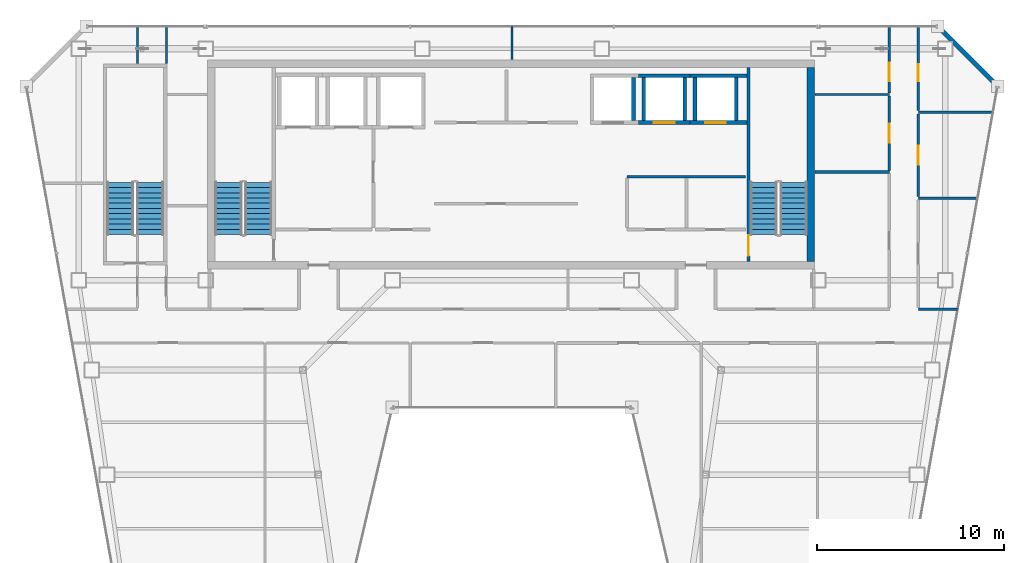
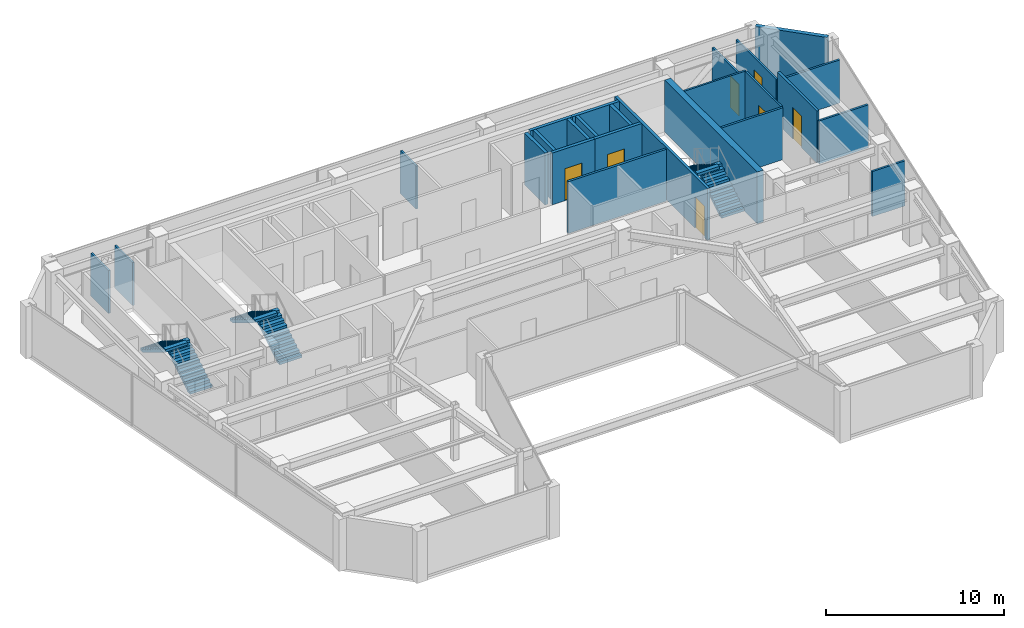
# One storey, part 29 of 32: 25 walls, 7 doors, 6 stair flights, 7 openings, 3 elements without a shape of their own.
"""IFC4 building model written with IfcOpenShell, lengths in metres."""

import ifcopenshell
import ifcopenshell.guid

model = None  # the IFC model being written
_history = None  # IfcOwnerHistory: only IFC2X3 demands one
_inside = {}  # id of a spatial element -> (the spatial element, [elements in it])
_under = {}  # id of a project, library or spatial element -> (it, [spatial elements below it])
_declared = {}  # id of a project -> (the project, [libraries it declares])
_typed = {}  # id of a type object -> (the type object, [elements of that type])
_made_of = {}  # id of a material, layer set ... -> (it, [elements and type objects made of it])


def new_model(schema):
    """Start an empty IFC model of exactly this schema.

    Asked for "IFC4X3", IfcOpenShell would pick the latest addendum, in which some entities
    have other attributes; the version numbers below select the first issue.
    IFC2X3 requires an IfcOwnerHistory on every rooted entity: one is made here for all.
    """
    global model, _history
    if schema == "IFC4X3":
        model = ifcopenshell.file(schema_version=(4, 3, 0, 0))
    else:
        model = ifcopenshell.file(schema=schema)
    _inside.clear()
    _under.clear()
    _declared.clear()
    _typed.clear()
    _made_of.clear()
    _history = None
    if model.schema == "IFC2X3":
        org = make("IfcOrganization", Name="unknown")
        user = make(
            "IfcPersonAndOrganization",
            ThePerson=make("IfcPerson", FamilyName="unknown"),
            TheOrganization=org,
        )
        app = make(
            "IfcApplication",
            ApplicationDeveloper=org,
            Version="unknown",
            ApplicationFullName="unknown",
            ApplicationIdentifier="unknown",
        )
        _history = make(
            "IfcOwnerHistory",
            OwningUser=user,
            OwningApplication=app,
            ChangeAction="ADDED",
            CreationDate=0,
        )
    return model


def make(cls, **values):
    """One entity of the class cls with the attributes given. An attribute that is None is left unset."""
    return model.create_entity(
        cls, **{name: value for name, value in values.items() if value is not None}
    )


def rooted(cls, **values):
    """An entity with a GlobalId (a new one), such as an element, a storey or a relation."""
    return make(cls, GlobalId=ifcopenshell.guid.new(), OwnerHistory=_history, **values)


def si_unit(unit_type, name, prefix=None):
    """IfcSIUnit, for example si_unit("LENGTHUNIT", "METRE", prefix="MILLI")."""
    return make("IfcSIUnit", UnitType=unit_type, Prefix=prefix, Name=name)


def assignment(units):
    """IfcUnitAssignment: the units of a project."""
    return None if units is None else make("IfcUnitAssignment", Units=units)


def point(xyz):
    """IfcCartesianPoint."""
    return None if xyz is None else make("IfcCartesianPoint", Coordinates=xyz)


def direction(xyz):
    """IfcDirection."""
    return None if xyz is None else make("IfcDirection", DirectionRatios=xyz)


def frame(location, z_axis=None, x_axis=None):
    """IfcAxis2Placement3D, a coordinate frame: its origin and axes. An axis left out is left unset."""
    return make(
        "IfcAxis2Placement3D",
        Location=point(location),
        Axis=direction(z_axis),
        RefDirection=direction(x_axis),
    )


def frame_2d(location, x_axis=None):
    """IfcAxis2Placement2D, a coordinate frame in the plane: its origin and x axis."""
    return make(
        "IfcAxis2Placement2D", Location=point(location), RefDirection=direction(x_axis)
    )


def origin():
    """The frame at (0, 0, 0) with its axes left unset."""
    return frame((0.0, 0.0, 0.0))


def place(relative_to, where):
    """IfcLocalPlacement: puts the frame where relative to a parent placement (None: the world)."""
    return make(
        "IfcLocalPlacement", PlacementRelTo=relative_to, RelativePlacement=where
    )


def context(
    kind, dimensions, precision=None, world=None, true_north=None, identifier=None
):
    """IfcGeometricRepresentationContext, for example the 3D "Model" context."""
    return make(
        "IfcGeometricRepresentationContext",
        ContextIdentifier=identifier,
        ContextType=kind,
        CoordinateSpaceDimension=dimensions,
        Precision=precision,
        WorldCoordinateSystem=world,
        TrueNorth=true_north,
    )


def subcontext(parent, identifier, kind, view, scale=None):
    """IfcGeometricRepresentationSubContext, for example "Body" below "Model"."""
    return make(
        "IfcGeometricRepresentationSubContext",
        ContextIdentifier=identifier,
        ContextType=kind,
        ParentContext=parent,
        TargetScale=scale,
        TargetView=view,
    )


def project(units=None, contexts=None):
    """IfcProject with its units and contexts."""
    return rooted(
        "IfcProject",
        Name="project",
        RepresentationContexts=contexts,
        UnitsInContext=assignment(units),
    )


def spatial(cls, under=None, at=None, **own):
    """A site, building, storey or space (cls), placed at a placement, below another one or the project."""
    s = rooted(cls, ObjectPlacement=at, **own)
    if under is not None:
        _under.setdefault(under.id(), (under, []))[1].append(s)
    return s


def polyline(points):
    """IfcPolyline through the points."""
    return make("IfcPolyline", Points=[point(p) for p in points])


def profile(cls, at=None, kind="AREA", **sizes):
    """A parametric profile (cls). Its sizes go by their IFC names, for example OverallWidth=200.0."""
    return make(cls, ProfileType=kind, Position=at, **sizes)


def rectangle(**sizes):
    """IfcRectangleProfileDef."""
    return profile("IfcRectangleProfileDef", **sizes)


def outline(outer, holes=None, kind="AREA"):
    """IfcArbitraryClosedProfileDef: a profile drawn as a closed curve; with holes, ...WithVoids."""
    if holes is None:
        return make("IfcArbitraryClosedProfileDef", ProfileType=kind, OuterCurve=outer)
    return make(
        "IfcArbitraryProfileDefWithVoids",
        ProfileType=kind,
        OuterCurve=outer,
        InnerCurves=holes,
    )


def extrude(swept, where, along, depth):
    """IfcExtrudedAreaSolid: the profile swept, set in the frame where, extruded along a direction by depth."""
    return make(
        "IfcExtrudedAreaSolid",
        SweptArea=swept,
        Position=where,
        ExtrudedDirection=direction(along),
        Depth=depth,
    )


def shape(context_of_items, identifier, shape_type, items):
    """IfcShapeRepresentation: the items that make up one representation, for example the "Body"."""
    return make(
        "IfcShapeRepresentation",
        ContextOfItems=context_of_items,
        RepresentationIdentifier=identifier,
        RepresentationType=shape_type,
        Items=items,
    )


def material(Name=None, Category=None):
    """IfcMaterial."""
    return make("IfcMaterial", Name=Name, Category=Category)


def layer(
    of_material, thickness, ventilated=None, Name=None, Category=None, Priority=None
):
    """IfcMaterialLayer: one layer of a wall or slab, of a material (None: an air gap)."""
    return make(
        "IfcMaterialLayer",
        Material=of_material,
        LayerThickness=thickness,
        IsVentilated=ventilated,
        Name=Name,
        Category=Category,
        Priority=Priority,
    )


def layer_set(layers, Name=None):
    """IfcMaterialLayerSet."""
    return make("IfcMaterialLayerSet", MaterialLayers=layers, LayerSetName=Name)


def made_of(thing, what):
    """Note that an element or type object is made of a material, layer set ...; save() writes the relation."""
    if what is not None:
        _made_of.setdefault(what.id(), (what, []))[1].append(thing)
    return thing


def type_object(cls, material=None, **own):
    """A type object (cls), such as IfcWallType, which elements share."""
    return made_of(rooted(cls, **own), material)


def element(
    cls,
    number,
    at=None,
    inside=None,
    cuts=None,
    type_object=None,
    material=None,
    context=None,
    identifier="Body",
    shape_type=None,
    held_by="IfcProductDefinitionShape",
    body=None,
    shapes=None,
    **own,
):
    """One element of the class cls, such as IfcWall. Its Tag is "e" and its number.

    at: its placement. inside: the storey or other place that contains it. cuts: it is an
    opening in that element (IfcRelVoidsElement). A single representation is given by context,
    identifier, shape_type and body (its items); several are given by shapes. held_by: the class
    of the entity that holds the representations. save() writes the other relations.
    """
    e = rooted(cls, Tag="e%d" % number, ObjectPlacement=at, **own)
    if body is not None:
        shapes = [shape(context, identifier, shape_type, body)]
    if shapes is not None:
        e.Representation = make(held_by, Representations=shapes)
    if inside is not None:
        _inside.setdefault(inside.id(), (inside, []))[1].append(e)
    if cuts is not None:
        rooted(
            "IfcRelVoidsElement", RelatingBuildingElement=cuts, RelatedOpeningElement=e
        )
    if type_object is not None:
        _typed.setdefault(type_object.id(), (type_object, []))[1].append(e)
    return made_of(e, material)


def fill(opening, filler):
    """IfcRelFillsElement: the door or window that sits in an opening."""
    return rooted(
        "IfcRelFillsElement",
        RelatingOpeningElement=opening,
        RelatedBuildingElement=filler,
    )


def aggregate(whole, parts):
    """IfcRelAggregates: a whole, such as a stair, and the parts it consists of."""
    return rooted("IfcRelAggregates", RelatingObject=whole, RelatedObjects=parts)


def save(model, path):
    """Write the relations noted so far, then the file.

    IfcRelAggregates (storeys below a building ...), IfcRelContainedInSpatialStructure (elements
    in a storey), IfcRelDefinesByType, IfcRelAssociatesMaterial and IfcRelDeclares: one each for
    every whole, place, type object, material and project.
    """
    for whole, parts in _under.values():
        aggregate(whole, parts)
    for where, things in _inside.values():
        rooted(
            "IfcRelContainedInSpatialStructure",
            RelatedElements=things,
            RelatingStructure=where,
        )
    for kind, things in _typed.values():
        rooted("IfcRelDefinesByType", RelatedObjects=things, RelatingType=kind)
    for what, things in _made_of.values():
        rooted("IfcRelAssociatesMaterial", RelatedObjects=things, RelatingMaterial=what)
    for by, libraries in _declared.values():
        rooted("IfcRelDeclares", RelatingContext=by, RelatedDefinitions=libraries)
    model.write(path)


model = new_model("IFC4")

# Units and contexts
model_context = context("Model", 3, precision=1e-05, world=origin(), true_north=direction((0.0, 1.0)))
body_context = subcontext(model_context, "Body", "Model", "MODEL_VIEW")
ifc_project = project(units=[si_unit("LENGTHUNIT", "METRE"), si_unit("AREAUNIT", "SQUARE_METRE"), si_unit("VOLUMEUNIT", "CUBIC_METRE"), si_unit("PLANEANGLEUNIT", "RADIAN"), si_unit("MASSUNIT", "GRAM", prefix="KILO")], contexts=[model_context])

# Site, building, storey
site_placement = place(None, origin())
site = spatial("IfcSite", under=ifc_project, at=site_placement, CompositionType="ELEMENT")
building_placement = place(site_placement, origin())
building = spatial("IfcBuilding", under=site, at=building_placement, Name="Saevonmaru Cultural Tower", CompositionType="ELEMENT")
storey_placement = place(building_placement, frame((0.0, 0.0, 257.199951171875)))
storey = spatial("IfcBuildingStorey", under=building, at=storey_placement, Name="L60", CompositionType="ELEMENT", Elevation=257.199951171875)

# Walls
ifc_material_1 = material(Name="Concrete C50/60", Category="concrete")
ifc_layer_1 = layer(ifc_material_1, 0.39990234375, Name="Concrete C50/60")
ifc_layer_set_1 = layer_set([ifc_layer_1], Name="Concrete C50/60")
wall_type_1 = type_object("IfcWallType", Name="WL-CORE-400", PredefinedType="SHEAR", material=ifc_layer_set_1)
wall_1_placement = place(storey_placement, frame((46.0, 43.39990234375, 0.0), z_axis=(0.0, 0.0, 1.0), x_axis=(0.0, 1.0, 0.0)))
element("IfcWall", 1, at=wall_1_placement, inside=storey, type_object=wall_type_1, Name="L60 Tower RC core shear wall E", PredefinedType="SHEAR", context=body_context, shape_type="SweptSolid", body=[
    extrude(rectangle(XDim=10.400146484375, YDim=0.39990234375, at=frame_2d((5.2001953125, 0.0))), origin(), (0.0, 0.0, 1.0), 3.550048828125),
])
ifc_material_2 = material(Name="Gypsum Fireboard Partition", Category="gypsum")
ifc_layer_2 = layer(ifc_material_2, 0.14990234375, Name="Gypsum Fireboard Partition")
ifc_layer_set_2 = layer_set([ifc_layer_2], Name="Gypsum Fireboard Partition")
wall_type_2 = type_object("IfcWallType", Name="WL-CORE-PART-150", PredefinedType="PARTITIONING", material=ifc_layer_set_2)
wall_2_placement = place(storey_placement, frame((36.14990234375, 47.949951171875, 0.0), z_axis=(0.0, 0.0, 1.0), x_axis=(1.0, 0.0, 0.0)))
element("IfcWall", 2, at=wall_2_placement, inside=storey, type_object=wall_type_2, Name="L60 Core Cluster North Wall", PredefinedType="PARTITIONING", context=body_context, shape_type="SweptSolid", body=[
    extrude(rectangle(XDim=6.35009765625, YDim=0.14990234375, at=frame_2d((3.175048828125, 0.0))), origin(), (0.0, 0.0, 1.0), 3.550048828125),
])
ifc_material_3 = material(Name="Granite-Clad Precast Concrete C40/50", Category="masonry")
ifc_layer_3 = layer(ifc_material_3, 0.260009765625, Name="Granite-Clad Precast Concrete C40/50")
ifc_layer_set_3 = layer_set([ifc_layer_3], Name="Granite-Clad Precast Concrete C40/50")
wall_type_3 = type_object("IfcWallType", Name="WL-EXT-SPANDREL-260", PredefinedType="STANDARD", material=ifc_layer_set_3)
wall_3_placement = place(storey_placement, frame((55.886962890625, 52.9130859375, 0.0), z_axis=(0.0, 0.0, 1.0), x_axis=(-0.707106781187, 0.707106781187, 0.0)))
element("IfcWall", 3, at=wall_3_placement, inside=storey, type_object=wall_type_3, Name="L60 Chamfer Corner Spandrel Wall E9", PredefinedType="STANDARD", context=body_context, shape_type="SweptSolid", body=[
    extrude(rectangle(XDim=4.205810546875, YDim=0.260009765625, at=frame_2d((2.10302734375, 0.0))), origin(), (0.0, 0.0, 1.0), 3.550048828125),
])

# Wall, opening, door
ifc_layer_4 = layer(ifc_material_2, 0.14990234375, Name="Gypsum Fireboard Partition")
ifc_layer_set_4 = layer_set([ifc_layer_4], Name="Gypsum Fireboard Partition")
wall_type_4 = type_object("IfcWallType", Name="WL-PART-FIRE-150", PredefinedType="PARTITIONING", material=ifc_layer_set_4)
wall_4_placement = place(storey_placement, frame((51.75, 46.887451171875, 0.0), z_axis=(0.0, 0.0, 1.0), x_axis=(0.0, 1.0, 0.0)))
wall_4 = element("IfcWall", 4, at=wall_4_placement, inside=storey, type_object=wall_type_4, Name="L60 Acoustic Chamber Auditorium Corridor Wall", PredefinedType="PARTITIONING", context=body_context, shape_type="SweptSolid", body=[
    extrude(rectangle(XDim=4.425048828125, YDim=0.14990234375, at=frame_2d((2.21240234375, 0.0))), origin(), (0.0, 0.0, 1.0), 3.550048828125),
])
opening_1_placement = place(wall_4_placement, frame((1.7119140625, 0.0, 0.0)))
opening_1 = element("IfcOpeningElement", 5, at=opening_1_placement, cuts=wall_4, Name="Opening ID-1B", PredefinedType="OPENING", context=body_context, shape_type="SweptSolid", body=[
    extrude(rectangle(XDim=1.0, YDim=2.14990234375, at=frame_2d((0.5, 1.074951171875))), frame((0.0, 0.0849609375, 0.0), z_axis=(0.0, -1.0, 0.0), x_axis=(1.0, 0.0, 0.0)), (0.0, 0.0, 1.0), 0.169921875),
])
ifc_material_4 = material(Name="Acoustic Stained Oak Timber", Category="wood")
door_type_1 = type_object("IfcDoorType", Name="DR-INT-1000", OperationType="SINGLE_SWING_RIGHT", PredefinedType="DOOR", material=ifc_material_4)
door_1_placement = place(opening_1_placement, origin())
door_1 = element("IfcDoor", 6, at=door_1_placement, inside=storey, type_object=door_type_1, Name="L60 Acoustic Chamber Auditorium Door", OperationType="SINGLE_SWING_RIGHT", OverallHeight=2.14990234375, OverallWidth=1.0, PredefinedType="DOOR", context=body_context, shape_type="SweptSolid", body=[
    extrude(rectangle(XDim=1.0, YDim=2.14990234375, at=frame_2d((0.5, 1.074951171875))), frame((0.0, 0.02490234375, 0.0), z_axis=(0.0, -1.0, 0.0), x_axis=(1.0, 0.0, 0.0)), (0.0, 0.0, 1.0), 0.050048828125),
])
fill(opening_1, door_1)

# Walls
ifc_layer_5 = layer(ifc_material_2, 0.1201171875, Name="Gypsum Fireboard Partition")
ifc_layer_set_5 = layer_set([ifc_layer_5], Name="Gypsum Fireboard Partition")
wall_type_5 = type_object("IfcWallType", Name="WL-PART-GYP-120", PredefinedType="PARTITIONING", material=ifc_layer_set_5)
wall_5_placement = place(storey_placement, frame((46.219970703125, 52.35009765625, 0.0), z_axis=(0.0, 0.0, 1.0), x_axis=(1.0, 0.0, 0.0)))
element("IfcWall", 7, at=wall_5_placement, inside=storey, type_object=wall_type_5, Name="L60 North-East Panorama South Wall", PredefinedType="PARTITIONING", context=body_context, shape_type="SweptSolid", body=[
    extrude(rectangle(XDim=3.97998046875, YDim=0.1201171875, at=frame_2d((1.989990234375, 0.0))), origin(), (0.0, 0.0, 1.0), 3.550048828125),
])
wall_6_placement = place(storey_placement, frame((30.0, 54.219970703125, 0.0), z_axis=(0.0, 0.0, 1.0), x_axis=(0.0, 1.0, 0.0)))
element("IfcWall", 8, at=wall_6_placement, inside=storey, type_object=wall_type_5, Name="L60 North Panorama Center Split", PredefinedType="PARTITIONING", context=body_context, shape_type="SweptSolid", body=[
    extrude(rectangle(XDim=1.775146484375, YDim=0.1201171875, at=frame_2d((0.8876953125, 0.0))), origin(), (0.0, 0.0, 1.0), 2.93505859375),
])

# Wall, opening, door
wall_7_placement = place(storey_placement, frame((50.199951171875, 48.2900390625, 0.0), z_axis=(0.0, 0.0, 1.0), x_axis=(0.0, 1.0, 0.0)))
wall_7 = element("IfcWall", 9, at=wall_7_placement, inside=storey, type_object=wall_type_5, Name="L60 Museum Espresso Cafe Corridor Wall", PredefinedType="PARTITIONING", context=body_context, shape_type="SweptSolid", body=[
    extrude(rectangle(XDim=3.97998046875, YDim=0.1201171875, at=frame_2d((1.989990234375, 0.0))), origin(), (0.0, 0.0, 1.0), 3.550048828125),
])
opening_2_placement = place(wall_7_placement, frame((1.489990234375, 0.0, 0.0)))
opening_2 = element("IfcOpeningElement", 10, at=opening_2_placement, cuts=wall_7, Name="Opening ID-1B", PredefinedType="OPENING", context=body_context, shape_type="SweptSolid", body=[
    extrude(rectangle(XDim=1.0, YDim=2.14990234375, at=frame_2d((0.5, 1.074951171875))), frame((0.0, 0.070068359375, 0.0), z_axis=(0.0, -1.0, 0.0), x_axis=(1.0, 0.0, 0.0)), (0.0, 0.0, 1.0), 0.14013671875),
])
door_2_placement = place(opening_2_placement, origin())
door_2 = element("IfcDoor", 11, at=door_2_placement, inside=storey, type_object=door_type_1, Name="L60 Museum Espresso Cafe Door", OperationType="SINGLE_SWING_LEFT", OverallHeight=2.14990234375, OverallWidth=1.0, PredefinedType="DOOR", context=body_context, shape_type="SweptSolid", body=[
    extrude(rectangle(XDim=1.0, YDim=2.14990234375, at=frame_2d((0.5, 1.074951171875))), frame((0.0, 0.02490234375, 0.0), z_axis=(0.0, -1.0, 0.0), x_axis=(1.0, 0.0, 0.0)), (0.0, 0.0, 1.0), 0.050048828125),
])
fill(opening_2, door_2)

wall_8_placement = place(storey_placement, frame((50.199951171875, 52.429931640625, 0.0), z_axis=(0.0, 0.0, 1.0), x_axis=(0.0, 1.0, 0.0)))
wall_8 = element("IfcWall", 12, at=wall_8_placement, inside=storey, type_object=wall_type_5, Name="L60 Panoramic Salon Restaurant Corridor Wall", PredefinedType="PARTITIONING", context=body_context, shape_type="SweptSolid", body=[
    extrude(rectangle(XDim=3.565185546875, YDim=0.1201171875, at=frame_2d((1.78271484375, 0.0))), origin(), (0.0, 0.0, 1.0), 2.93505859375),
])
opening_3_placement = place(wall_8_placement, frame((0.6220703125, 0.0, 0.0)))
opening_3 = element("IfcOpeningElement", 13, at=opening_3_placement, cuts=wall_8, Name="Opening ID-1B", PredefinedType="OPENING", context=body_context, shape_type="SweptSolid", body=[
    extrude(rectangle(XDim=1.0, YDim=2.14990234375, at=frame_2d((0.5, 1.074951171875))), frame((0.0, 0.070068359375, 0.0), z_axis=(0.0, -1.0, 0.0), x_axis=(1.0, 0.0, 0.0)), (0.0, 0.0, 1.0), 0.14013671875),
])
door_3_placement = place(opening_3_placement, origin())
door_3 = element("IfcDoor", 14, at=door_3_placement, inside=storey, type_object=door_type_1, Name="L60 Panoramic Salon Restaurant Door", OperationType="SINGLE_SWING_RIGHT", OverallHeight=2.14990234375, OverallWidth=1.0, PredefinedType="DOOR", context=body_context, shape_type="SweptSolid", body=[
    extrude(rectangle(XDim=1.0, YDim=2.14990234375, at=frame_2d((0.5, 1.074951171875))), frame((0.0, 0.02490234375, 0.0), z_axis=(0.0, -1.0, 0.0), x_axis=(1.0, 0.0, 0.0)), (0.0, 0.0, 1.0), 0.050048828125),
])
fill(opening_3, door_3)

# Walls
for number, where, z_axis, x_axis, name in (
    (15, (11.5, 54.0, 0.0), (0.0, 0.0, 1.0), (0.0, 1.0, 0.0), "L60 Terrace Overlook Cafe Corridor Wall"),
    (16, (9.949951171875, 54.0, 0.0), (0.0, 0.0, 1.0), (0.0, 1.0, 0.0), "L60 Panoramic Salon Restaurant Corridor Wall"),
):
    element("IfcWall", number, at=place(storey_placement, frame(where, z_axis=z_axis, x_axis=x_axis)), inside=storey, type_object=wall_type_5, Name=name, PredefinedType="PARTITIONING", context=body_context, shape_type="SweptSolid", body=[
        extrude(rectangle(XDim=1.9951171875, YDim=0.1201171875, at=frame_2d((0.99755859375, 0.0))), origin(), (0.0, 0.0, 1.0), 2.93505859375),
    ])

# Wall, opening, door
wall_9_placement = place(storey_placement, frame((51.75, 51.487548828125, 0.0), z_axis=(0.0, 0.0, 1.0), x_axis=(0.0, 1.0, 0.0)))
wall_9 = element("IfcWall", 17, at=wall_9_placement, inside=storey, type_object=wall_type_5, Name="L60 Visiting Fellows Office Corridor Wall", PredefinedType="PARTITIONING", context=body_context, shape_type="SweptSolid", body=[
    extrude(rectangle(XDim=4.507568359375, YDim=0.1201171875, at=frame_2d((2.25390625, 0.0))), origin(), (0.0, 0.0, 1.0), 2.93505859375),
])
opening_4_placement = place(wall_9_placement, frame((1.583984375, 0.0, 0.0)))
opening_4 = element("IfcOpeningElement", 18, at=opening_4_placement, cuts=wall_9, Name="Opening ID-2", PredefinedType="OPENING", context=body_context, shape_type="SweptSolid", body=[
    extrude(rectangle(XDim=0.89990234375, YDim=2.10009765625, at=frame_2d((0.449951171875, 1.050048828125))), frame((0.0, 0.070068359375, 0.0), z_axis=(0.0, -1.0, 0.0), x_axis=(1.0, 0.0, 0.0)), (0.0, 0.0, 1.0), 0.14013671875),
])
door_type_2 = type_object("IfcDoorType", Name="DR-INT-900", OperationType="SINGLE_SWING_RIGHT", PredefinedType="DOOR", material=ifc_material_4)
door_4_placement = place(opening_4_placement, origin())
door_4 = element("IfcDoor", 19, at=door_4_placement, inside=storey, type_object=door_type_2, Name="L60 Visiting Fellows Office Door", OperationType="SINGLE_SWING_LEFT", OverallHeight=2.10009765625, OverallWidth=0.89990234375, PredefinedType="DOOR", context=body_context, shape_type="SweptSolid", body=[
    extrude(rectangle(XDim=0.89990234375, YDim=2.10009765625, at=frame_2d((0.449951171875, 1.050048828125))), frame((0.0, 0.02490234375, 0.0), z_axis=(0.0, -1.0, 0.0), x_axis=(1.0, 0.0, 0.0)), (0.0, 0.0, 1.0), 0.050048828125),
])
fill(opening_4, door_4)

# Walls
ifc_layer_6 = layer(ifc_material_2, 0.135009765625, Name="Gypsum Fireboard Partition")
ifc_layer_set_6 = layer_set([ifc_layer_6], Name="Gypsum Fireboard Partition")
wall_type_6 = type_object("IfcWallType", Name="WL-PART-GYP-135", PredefinedType="PARTITIONING", material=ifc_layer_set_6)
wall_10_placement = place(storey_placement, frame((51.75, 40.85009765625, 0.0), z_axis=(0.0, 0.0, 1.0), x_axis=(1.0, 0.0, 0.0)))
element("IfcWall", 20, at=wall_10_placement, inside=storey, type_object=wall_type_6, Name="L60 NE Wing South Wall", PredefinedType="PARTITIONING", context=body_context, shape_type="SweptSolid", body=[
    extrude(rectangle(XDim=2.106689453125, YDim=0.135009765625, at=frame_2d((1.05322265625, 0.0))), origin(), (0.0, 0.0, 1.0), 3.0849609375),
])
wall_11_placement = place(storey_placement, frame((51.75, 46.800048828125, 0.0), z_axis=(0.0, 0.0, 1.0), x_axis=(1.0, 0.0, 0.0)))
element("IfcWall", 21, at=wall_11_placement, inside=storey, type_object=wall_type_6, Name="L60 NE Studio Divider 1", PredefinedType="PARTITIONING", context=body_context, shape_type="SweptSolid", body=[
    extrude(rectangle(XDim=3.17138671875, YDim=0.135009765625, at=frame_2d((1.585693359375, 0.0))), origin(), (0.0, 0.0, 1.0), 2.947021484375),
])
wall_12_placement = place(storey_placement, frame((51.75, 51.39990234375, 0.0), z_axis=(0.0, 0.0, 1.0), x_axis=(1.0, 0.0, 0.0)))
element("IfcWall", 22, at=wall_12_placement, inside=storey, type_object=wall_type_6, Name="L60 NE Studio Divider 2", PredefinedType="PARTITIONING", context=body_context, shape_type="SweptSolid", body=[
    extrude(rectangle(XDim=3.994384765625, YDim=0.135009765625, at=frame_2d((1.9970703125, 0.0))), origin(), (0.0, 0.0, 1.0), 2.947021484375),
])
ifc_layer_7 = layer(ifc_material_2, 0.139892578125, Name="Gypsum Fireboard Partition")
ifc_layer_set_7 = layer_set([ifc_layer_7], Name="Gypsum Fireboard Partition")
wall_type_7 = type_object("IfcWallType", Name="WL-PART-WET-140", PredefinedType="PARTITIONING", material=ifc_layer_set_7)
wall_13_placement = place(storey_placement, frame((46.219970703125, 48.199951171875, 0.0), z_axis=(0.0, 0.0, 1.0), x_axis=(1.0, 0.0, 0.0)))
element("IfcWall", 23, at=wall_13_placement, inside=storey, type_object=wall_type_7, Name="L60 Washroom North Wall", PredefinedType="PARTITIONING", context=body_context, shape_type="SweptSolid", body=[
    extrude(rectangle(XDim=3.97998046875, YDim=0.139892578125, at=frame_2d((1.989990234375, 0.0))), origin(), (0.0, 0.0, 1.0), 3.550048828125),
])
ifc_material_5 = material(Name="Concrete C40/50", Category="concrete")
ifc_layer_8 = layer(ifc_material_5, 0.199951171875, Name="Concrete C40/50")
ifc_layer_set_8 = layer_set([ifc_layer_8], Name="Concrete C40/50")
wall_type_8 = type_object("IfcWallType", Name="WL-SHAFT-200", PredefinedType="SHEAR", material=ifc_layer_set_8)
wall_14_placement = place(storey_placement, frame((36.5, 50.949951171875, 0.0), z_axis=(0.0, 0.0, 1.0), x_axis=(0.0, 1.0, 0.0)))
element("IfcWall", 24, at=wall_14_placement, inside=storey, type_object=wall_type_8, Name="L60 Lift PL-H1 Hoistway Wall E", PredefinedType="SHEAR", context=body_context, shape_type="SweptSolid", body=[
    extrude(rectangle(XDim=2.300048828125, YDim=0.199951171875, at=frame_2d((1.14990234375, 0.0))), origin(), (0.0, 0.0, 1.0), 3.550048828125),
])

# Wall, opening, door
wall_15_placement = place(storey_placement, frame((36.77490234375, 50.85009765625, 0.0), z_axis=(0.0, 0.0, 1.0), x_axis=(1.0, 0.0, 0.0)))
wall_15 = element("IfcWall", 25, at=wall_15_placement, inside=storey, type_object=wall_type_8, Name="L60 Lift PL-H2 Hoistway Wall S", PredefinedType="SHEAR", context=body_context, shape_type="SweptSolid", body=[
    extrude(rectangle(XDim=2.75, YDim=0.199951171875, at=frame_2d((1.375, 0.0))), origin(), (0.0, 0.0, 1.0), 3.550048828125),
])
opening_5_placement = place(wall_15_placement, frame((0.824951171875, 0.0, 0.0)))
opening_5 = element("IfcOpeningElement", 26, at=opening_5_placement, cuts=wall_15, Name="Opening LD-1", PredefinedType="OPENING", context=body_context, shape_type="SweptSolid", body=[
    extrude(rectangle(XDim=1.10009765625, YDim=2.199951171875, at=frame_2d((0.550048828125, 1.10009765625))), frame((0.0, 0.10986328125, 0.0), z_axis=(0.0, -1.0, 0.0), x_axis=(1.0, 0.0, 0.0)), (0.0, 0.0, 1.0), 0.219970703125),
])
ifc_material_6 = material(Name="Satin Bronze Stainless Steel", Category="steel")
door_type_3 = type_object("IfcDoorType", Name="DR-LIFT-1100", OperationType="SLIDING_TO_LEFT", PredefinedType="DOOR", material=ifc_material_6)
door_5_placement = place(opening_5_placement, origin())
door_5 = element("IfcDoor", 27, at=door_5_placement, inside=storey, type_object=door_type_3, Name="L60 Lift PL-H2 Sliding Landing Door", OperationType="SLIDING_TO_LEFT", OverallHeight=2.199951171875, OverallWidth=1.10009765625, PredefinedType="DOOR", context=body_context, shape_type="SweptSolid", body=[
    extrude(rectangle(XDim=1.10009765625, YDim=2.199951171875, at=frame_2d((0.550048828125, 1.10009765625))), frame((0.0, 0.02490234375, 0.0), z_axis=(0.0, -1.0, 0.0), x_axis=(1.0, 0.0, 0.0)), (0.0, 0.0, 1.0), 0.050048828125),
])
fill(opening_5, door_5)

# Walls
wall_16_placement = place(storey_placement, frame((36.77490234375, 53.35009765625, 0.0), z_axis=(0.0, 0.0, 1.0), x_axis=(1.0, 0.0, 0.0)))
element("IfcWall", 28, at=wall_16_placement, inside=storey, type_object=wall_type_8, Name="L60 Lift PL-H2 Hoistway Wall N", PredefinedType="SHEAR", context=body_context, shape_type="SweptSolid", body=[
    extrude(rectangle(XDim=2.75, YDim=0.199951171875, at=frame_2d((1.375, 0.0))), origin(), (0.0, 0.0, 1.0), 3.550048828125),
])
for number, where, z_axis, x_axis, name in (
    (29, (37.050048828125, 50.949951171875, 0.0), (0.0, 0.0, 1.0), (0.0, 1.0, 0.0), "L60 Lift PL-H2 Hoistway Wall W"),
    (30, (39.25, 50.949951171875, 0.0), (0.0, 0.0, 1.0), (0.0, 1.0, 0.0), "L60 Lift PL-H2 Hoistway Wall E"),
):
    element("IfcWall", number, at=place(storey_placement, frame(where, z_axis=z_axis, x_axis=x_axis)), inside=storey, type_object=wall_type_8, Name=name, PredefinedType="SHEAR", context=body_context, shape_type="SweptSolid", body=[
        extrude(rectangle(XDim=2.300048828125, YDim=0.199951171875, at=frame_2d((1.14990234375, 0.0))), origin(), (0.0, 0.0, 1.0), 3.550048828125),
    ])

# Wall, opening, door
wall_17_placement = place(storey_placement, frame((39.52490234375, 50.85009765625, 0.0), z_axis=(0.0, 0.0, 1.0), x_axis=(1.0, 0.0, 0.0)))
wall_17 = element("IfcWall", 31, at=wall_17_placement, inside=storey, type_object=wall_type_8, Name="L60 Lift PL-H3 Hoistway Wall S", PredefinedType="SHEAR", context=body_context, shape_type="SweptSolid", body=[
    extrude(rectangle(XDim=3.045166015625, YDim=0.199951171875, at=frame_2d((1.5224609375, 0.0))), origin(), (0.0, 0.0, 1.0), 3.550048828125),
])
opening_6_placement = place(wall_17_placement, frame((0.824951171875, 0.0, 0.0)))
opening_6 = element("IfcOpeningElement", 32, at=opening_6_placement, cuts=wall_17, Name="Opening LD-1", PredefinedType="OPENING", context=body_context, shape_type="SweptSolid", body=[
    extrude(rectangle(XDim=1.10009765625, YDim=2.199951171875, at=frame_2d((0.550048828125, 1.10009765625))), frame((0.0, 0.10986328125, 0.0), z_axis=(0.0, -1.0, 0.0), x_axis=(1.0, 0.0, 0.0)), (0.0, 0.0, 1.0), 0.219970703125),
])
door_6_placement = place(opening_6_placement, origin())
door_6 = element("IfcDoor", 33, at=door_6_placement, inside=storey, type_object=door_type_3, Name="L60 Lift PL-H3 Sliding Landing Door", OperationType="SLIDING_TO_LEFT", OverallHeight=2.199951171875, OverallWidth=1.10009765625, PredefinedType="DOOR", context=body_context, shape_type="SweptSolid", body=[
    extrude(rectangle(XDim=1.10009765625, YDim=2.199951171875, at=frame_2d((0.550048828125, 1.10009765625))), frame((0.0, 0.02490234375, 0.0), z_axis=(0.0, -1.0, 0.0), x_axis=(1.0, 0.0, 0.0)), (0.0, 0.0, 1.0), 0.050048828125),
])
fill(opening_6, door_6)

# Walls
wall_18_placement = place(storey_placement, frame((39.52490234375, 53.35009765625, 0.0), z_axis=(0.0, 0.0, 1.0), x_axis=(1.0, 0.0, 0.0)))
element("IfcWall", 34, at=wall_18_placement, inside=storey, type_object=wall_type_8, Name="L60 Lift PL-H3 Hoistway Wall N", PredefinedType="SHEAR", context=body_context, shape_type="SweptSolid", body=[
    extrude(rectangle(XDim=3.045166015625, YDim=0.199951171875, at=frame_2d((1.5224609375, 0.0))), origin(), (0.0, 0.0, 1.0), 3.550048828125),
])
for number, where, z_axis, x_axis, name in (
    (35, (39.800048828125, 50.949951171875, 0.0), (0.0, 0.0, 1.0), (0.0, 1.0, 0.0), "L60 Lift PL-H3 Hoistway Wall W"),
    (36, (42.0, 50.949951171875, 0.0), (0.0, 0.0, 1.0), (0.0, 1.0, 0.0), "L60 Lift PL-H3 Hoistway Wall E"),
):
    element("IfcWall", number, at=place(storey_placement, frame(where, z_axis=z_axis, x_axis=x_axis)), inside=storey, type_object=wall_type_8, Name=name, PredefinedType="SHEAR", context=body_context, shape_type="SweptSolid", body=[
        extrude(rectangle(XDim=2.300048828125, YDim=0.199951171875, at=frame_2d((1.14990234375, 0.0))), origin(), (0.0, 0.0, 1.0), 3.550048828125),
    ])

# Wall, opening, door
ifc_layer_9 = layer(ifc_material_5, 0.179931640625, Name="Concrete C40/50")
ifc_layer_set_9 = layer_set([ifc_layer_9], Name="Concrete C40/50")
wall_type_9 = type_object("IfcWallType", Name="WL-STSHAFT-180", PredefinedType="SHEAR", material=ifc_layer_set_9)
wall_19_placement = place(storey_placement, frame((42.659912109375, 53.800048828125, 0.0), z_axis=(0.0, 0.0, 1.0), x_axis=(0.0, -1.0, 0.0)))
wall_19 = element("IfcWall", 37, at=wall_19_placement, inside=storey, type_object=wall_type_9, Name="L60 Stair ST-2 Structural Shaft Wall 1", PredefinedType="SHEAR", context=body_context, shape_type="SweptSolid", body=[
    extrude(rectangle(XDim=10.400146484375, YDim=0.179931640625, at=frame_2d((5.2001953125, 0.0))), origin(), (0.0, 0.0, 1.0), 3.550048828125),
])
opening_7_placement = place(wall_19_placement, frame((8.989990234375, 0.0, 0.0)))
opening_7 = element("IfcOpeningElement", 38, at=opening_7_placement, cuts=wall_19, Name="Opening FD-2", PredefinedType="OPENING", context=body_context, shape_type="SweptSolid", body=[
    extrude(rectangle(XDim=1.10009765625, YDim=2.14990234375, at=frame_2d((0.550048828125, 1.074951171875))), frame((0.0, 0.10009765625, 0.0), z_axis=(0.0, -1.0, 0.0), x_axis=(1.0, 0.0, 0.0)), (0.0, 0.0, 1.0), 0.199951171875),
])
ifc_material_7 = material(Name="Satin Bronze Anodised Aluminium", Category="aluminium")
door_type_4 = type_object("IfcDoorType", Name="DR-FD60-1100", OperationType="SINGLE_SWING_LEFT", PredefinedType="DOOR", material=ifc_material_7)
door_7_placement = place(opening_7_placement, origin())
door_7 = element("IfcDoor", 39, at=door_7_placement, inside=storey, type_object=door_type_4, Name="L60 Protected Stair ST-2 Fire Door", OperationType="SINGLE_SWING_LEFT", OverallHeight=2.14990234375, OverallWidth=1.10009765625, PredefinedType="DOOR", context=body_context, shape_type="SweptSolid", body=[
    extrude(rectangle(XDim=1.10009765625, YDim=2.14990234375, at=frame_2d((0.550048828125, 1.074951171875))), frame((0.0, 0.02490234375, 0.0), z_axis=(0.0, -1.0, 0.0), x_axis=(1.0, 0.0, 0.0)), (0.0, 0.0, 1.0), 0.050048828125),
])
fill(opening_7, door_7)

# Stair, stair flights
stair_type = type_object("IfcStairType", Name="STR-DOGLEG-RC", PredefinedType="HALF_TURN_STAIR", material=ifc_material_5)
stair_1_placement = place(storey_placement, origin())
stair_1 = element("IfcStair", 40, at=stair_1_placement, inside=storey, type_object=stair_type, Name="L60 Protected exit stair ST-1", PredefinedType="HALF_TURN_STAIR")
ifc_material_8 = material(Name="Precast concrete C40/50", Category="concrete")
stair_flight_type = type_object("IfcStairFlightType", Name="STF-PRECAST-180", PredefinedType="STRAIGHT", material=ifc_material_8)
stair_flight_1_placement = place(storey_placement, frame((16.425048828125, 44.85009765625, 0.0), z_axis=(0.0, 0.0, 1.0), x_axis=(0.0, 1.0, 0.0)))
stair_flight_1 = element("IfcStairFlight", 41, at=stair_flight_1_placement, type_object=stair_flight_type, Name="ST-1-L60 flight 1", NumberOfRisers=11, NumberOfTreads=10, PredefinedType="STRAIGHT", RiserHeight=0.172727273, TreadLength=0.28, context=body_context, shape_type="SweptSolid", body=[
    extrude(outline(polyline([(0.0, 0.0), (0.0, 0.172607421875), (0.280029296875, 0.172607421875), (0.280029296875, 0.345458984375), (0.56005859375, 0.345458984375), (0.56005859375, 0.51806640625), (0.840087890625, 0.51806640625), (0.840087890625, 0.69091796875), (1.1201171875, 0.69091796875), (1.1201171875, 0.863525390625), (1.39990234375, 0.863525390625), (1.39990234375, 1.036376953125), (1.679931640625, 1.036376953125), (1.679931640625, 1.208984375), (1.9599609375, 1.208984375), (1.9599609375, 1.3818359375), (2.239990234375, 1.3818359375), (2.239990234375, 1.554443359375), (2.52001953125, 1.554443359375), (2.52001953125, 1.727294921875), (2.800048828125, 1.727294921875), (2.800048828125, 1.89990234375), (2.800048828125, 1.551025390625), (0.285400390625, 0.0), (0.0, 0.0)])), frame((0.0, 0.72509765625, 0.0), z_axis=(0.0, -1.0, 0.0), x_axis=(1.0, 0.0, 0.0)), (0.0, 0.0, 1.0), 1.449951171875),
])
stair_flight_2_placement = place(storey_placement, frame((14.824951171875, 47.64990234375, 1.900146484375), z_axis=(0.0, 0.0, 1.0), x_axis=(0.0, -1.0, 0.0)))
stair_flight_2 = element("IfcStairFlight", 42, at=stair_flight_2_placement, type_object=stair_flight_type, Name="ST-1-L60 flight 2", NumberOfRisers=11, NumberOfTreads=10, PredefinedType="STRAIGHT", RiserHeight=0.172727273, TreadLength=0.28, context=body_context, shape_type="SweptSolid", body=[
    extrude(outline(polyline([(0.0, 0.0), (0.0, 0.172607421875), (0.280029296875, 0.172607421875), (0.280029296875, 0.345458984375), (0.56005859375, 0.345458984375), (0.56005859375, 0.51806640625), (0.840087890625, 0.51806640625), (0.840087890625, 0.69091796875), (1.1201171875, 0.69091796875), (1.1201171875, 0.863525390625), (1.39990234375, 0.863525390625), (1.39990234375, 1.036376953125), (1.679931640625, 1.036376953125), (1.679931640625, 1.208984375), (1.9599609375, 1.208984375), (1.9599609375, 1.3818359375), (2.239990234375, 1.3818359375), (2.239990234375, 1.554443359375), (2.52001953125, 1.554443359375), (2.52001953125, 1.727294921875), (2.800048828125, 1.727294921875), (2.800048828125, 1.89990234375), (2.800048828125, 1.551025390625), (0.285400390625, 0.0), (0.0, 0.0)])), frame((0.0, 0.72509765625, 0.0), z_axis=(0.0, -1.0, 0.0), x_axis=(1.0, 0.0, 0.0)), (0.0, 0.0, 1.0), 1.449951171875),
])
aggregate(stair_1, [stair_flight_1, stair_flight_2])

stair_2_placement = place(storey_placement, origin())
stair_2 = element("IfcStair", 43, at=stair_2_placement, inside=storey, type_object=stair_type, Name="L60 Protected exit stair ST-2", PredefinedType="HALF_TURN_STAIR")
stair_flight_3_placement = place(storey_placement, frame((45.074951171875, 44.85009765625, 0.0), z_axis=(0.0, 0.0, 1.0), x_axis=(0.0, 1.0, 0.0)))
stair_flight_3 = element("IfcStairFlight", 44, at=stair_flight_3_placement, type_object=stair_flight_type, Name="ST-2-L60 flight 1", NumberOfRisers=11, NumberOfTreads=10, PredefinedType="STRAIGHT", RiserHeight=0.172727273, TreadLength=0.28, context=body_context, shape_type="SweptSolid", body=[
    extrude(outline(polyline([(0.0, 0.0), (0.0, 0.172607421875), (0.280029296875, 0.172607421875), (0.280029296875, 0.345458984375), (0.56005859375, 0.345458984375), (0.56005859375, 0.51806640625), (0.840087890625, 0.51806640625), (0.840087890625, 0.69091796875), (1.1201171875, 0.69091796875), (1.1201171875, 0.863525390625), (1.39990234375, 0.863525390625), (1.39990234375, 1.036376953125), (1.679931640625, 1.036376953125), (1.679931640625, 1.208984375), (1.9599609375, 1.208984375), (1.9599609375, 1.3818359375), (2.239990234375, 1.3818359375), (2.239990234375, 1.554443359375), (2.52001953125, 1.554443359375), (2.52001953125, 1.727294921875), (2.800048828125, 1.727294921875), (2.800048828125, 1.89990234375), (2.800048828125, 1.551025390625), (0.285400390625, 0.0), (0.0, 0.0)])), frame((0.0, 0.72509765625, 0.0), z_axis=(0.0, -1.0, 0.0), x_axis=(1.0, 0.0, 0.0)), (0.0, 0.0, 1.0), 1.449951171875),
])
stair_flight_4_placement = place(storey_placement, frame((43.47509765625, 47.64990234375, 1.900146484375), z_axis=(0.0, 0.0, 1.0), x_axis=(0.0, -1.0, 0.0)))
stair_flight_4 = element("IfcStairFlight", 45, at=stair_flight_4_placement, type_object=stair_flight_type, Name="ST-2-L60 flight 2", NumberOfRisers=11, NumberOfTreads=10, PredefinedType="STRAIGHT", RiserHeight=0.172727273, TreadLength=0.28, context=body_context, shape_type="SweptSolid", body=[
    extrude(outline(polyline([(0.0, 0.0), (0.0, 0.172607421875), (0.280029296875, 0.172607421875), (0.280029296875, 0.345458984375), (0.56005859375, 0.345458984375), (0.56005859375, 0.51806640625), (0.840087890625, 0.51806640625), (0.840087890625, 0.69091796875), (1.1201171875, 0.69091796875), (1.1201171875, 0.863525390625), (1.39990234375, 0.863525390625), (1.39990234375, 1.036376953125), (1.679931640625, 1.036376953125), (1.679931640625, 1.208984375), (1.9599609375, 1.208984375), (1.9599609375, 1.3818359375), (2.239990234375, 1.3818359375), (2.239990234375, 1.554443359375), (2.52001953125, 1.554443359375), (2.52001953125, 1.727294921875), (2.800048828125, 1.727294921875), (2.800048828125, 1.89990234375), (2.800048828125, 1.551025390625), (0.285400390625, 0.0), (0.0, 0.0)])), frame((0.0, 0.72509765625, 0.0), z_axis=(0.0, -1.0, 0.0), x_axis=(1.0, 0.0, 0.0)), (0.0, 0.0, 1.0), 1.449951171875),
])
aggregate(stair_2, [stair_flight_3, stair_flight_4])

stair_3_placement = place(storey_placement, origin())
stair_3 = element("IfcStair", 46, at=stair_3_placement, inside=storey, type_object=stair_type, Name="L60 Protected exit stair ST-3", PredefinedType="HALF_TURN_STAIR")
stair_flight_5_placement = place(storey_placement, frame((10.625, 44.85009765625, 0.0), z_axis=(0.0, 0.0, 1.0), x_axis=(0.0, 1.0, 0.0)))
stair_flight_5 = element("IfcStairFlight", 47, at=stair_flight_5_placement, type_object=stair_flight_type, Name="ST-3-L60 flight 1", NumberOfRisers=11, NumberOfTreads=10, PredefinedType="STRAIGHT", RiserHeight=0.172727273, TreadLength=0.28, context=body_context, shape_type="SweptSolid", body=[
    extrude(outline(polyline([(0.0, 0.0), (0.0, 0.172607421875), (0.280029296875, 0.172607421875), (0.280029296875, 0.345458984375), (0.56005859375, 0.345458984375), (0.56005859375, 0.51806640625), (0.840087890625, 0.51806640625), (0.840087890625, 0.69091796875), (1.1201171875, 0.69091796875), (1.1201171875, 0.863525390625), (1.39990234375, 0.863525390625), (1.39990234375, 1.036376953125), (1.679931640625, 1.036376953125), (1.679931640625, 1.208984375), (1.9599609375, 1.208984375), (1.9599609375, 1.3818359375), (2.239990234375, 1.3818359375), (2.239990234375, 1.554443359375), (2.52001953125, 1.554443359375), (2.52001953125, 1.727294921875), (2.800048828125, 1.727294921875), (2.800048828125, 1.89990234375), (2.800048828125, 1.551025390625), (0.285400390625, 0.0), (0.0, 0.0)])), frame((0.0, 0.72509765625, 0.0), z_axis=(0.0, -1.0, 0.0), x_axis=(1.0, 0.0, 0.0)), (0.0, 0.0, 1.0), 1.449951171875),
])
stair_flight_6_placement = place(storey_placement, frame((9.02490234375, 47.64990234375, 1.900146484375), z_axis=(0.0, 0.0, 1.0), x_axis=(0.0, -1.0, 0.0)))
stair_flight_6 = element("IfcStairFlight", 48, at=stair_flight_6_placement, type_object=stair_flight_type, Name="ST-3-L60 flight 2", NumberOfRisers=11, NumberOfTreads=10, PredefinedType="STRAIGHT", RiserHeight=0.172727273, TreadLength=0.28, context=body_context, shape_type="SweptSolid", body=[
    extrude(outline(polyline([(0.0, 0.0), (0.0, 0.172607421875), (0.280029296875, 0.172607421875), (0.280029296875, 0.345458984375), (0.56005859375, 0.345458984375), (0.56005859375, 0.51806640625), (0.840087890625, 0.51806640625), (0.840087890625, 0.69091796875), (1.1201171875, 0.69091796875), (1.1201171875, 0.863525390625), (1.39990234375, 0.863525390625), (1.39990234375, 1.036376953125), (1.679931640625, 1.036376953125), (1.679931640625, 1.208984375), (1.9599609375, 1.208984375), (1.9599609375, 1.3818359375), (2.239990234375, 1.3818359375), (2.239990234375, 1.554443359375), (2.52001953125, 1.554443359375), (2.52001953125, 1.727294921875), (2.800048828125, 1.727294921875), (2.800048828125, 1.89990234375), (2.800048828125, 1.551025390625), (0.285400390625, 0.0), (0.0, 0.0)])), frame((0.0, 0.72509765625, 0.0), z_axis=(0.0, -1.0, 0.0), x_axis=(1.0, 0.0, 0.0)), (0.0, 0.0, 1.0), 1.449951171875),
])
aggregate(stair_3, [stair_flight_5, stair_flight_6])

save(model, "model.ifc")
